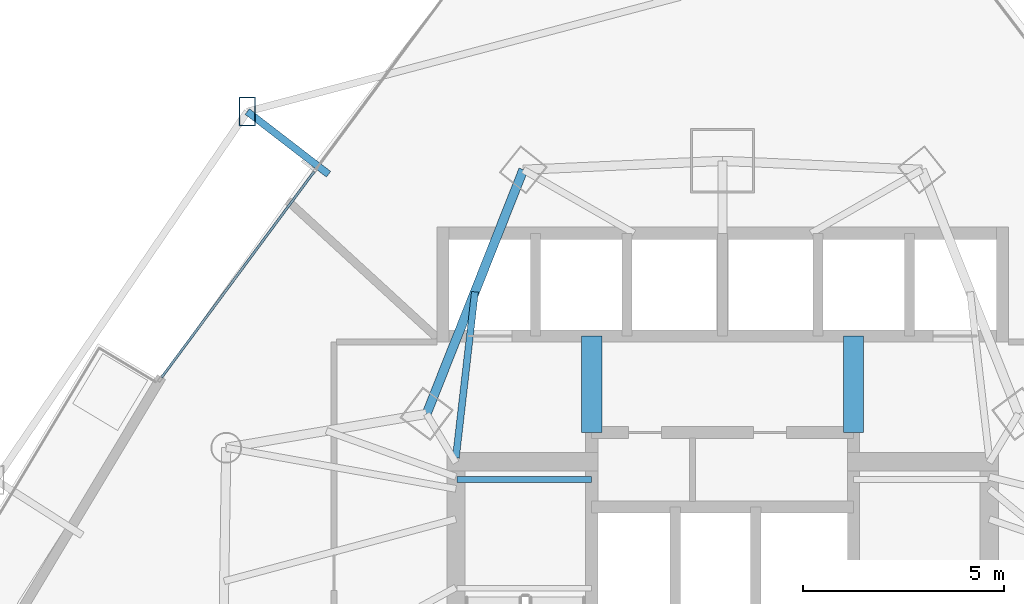
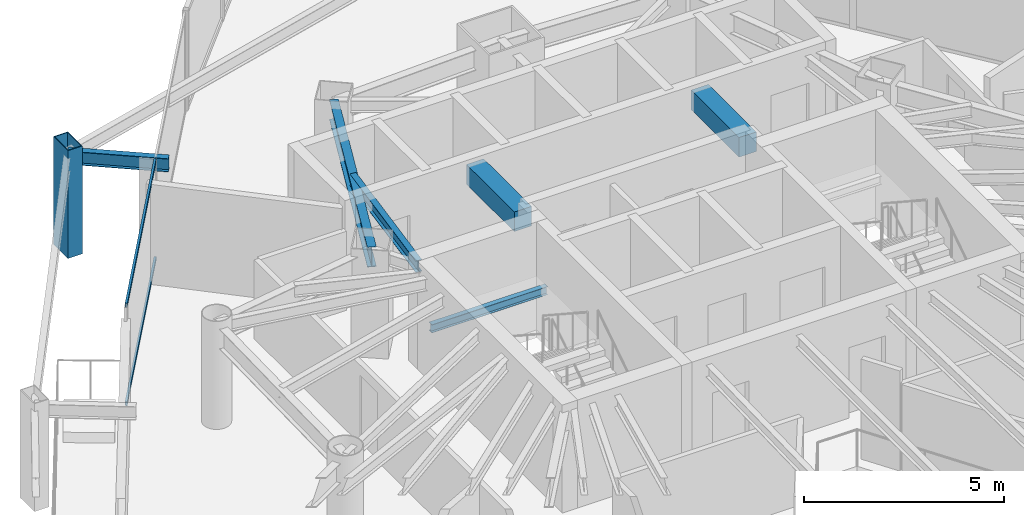
# One storey, part 22 of 35: 6 beams, 3 members, 1 element without a shape of its own.
"""IFC4 building model written with IfcOpenShell, lengths in metres."""

from ifc_helpers import new_model, si_unit, direction, frame, origin, origin_2d, place, context, subcontext, project, spatial, rectangle, hollow_rectangle, i_section, extrude, material, layer, layer_set, material_profile, profile_set, type_object, element, aggregate, save


model = new_model("IFC4")

# Units and contexts
model_context = context("Model", 3, precision=1e-05, world=origin(), true_north=direction((0.0, 1.0)))
body_context = subcontext(model_context, "Body", "Model", "MODEL_VIEW")
ifc_project = project(units=[si_unit("LENGTHUNIT", "METRE"), si_unit("AREAUNIT", "SQUARE_METRE"), si_unit("VOLUMEUNIT", "CUBIC_METRE"), si_unit("PLANEANGLEUNIT", "RADIAN"), si_unit("MASSUNIT", "GRAM", prefix="KILO")], contexts=[model_context])

# Site, building, storey
site_placement = place(None, origin())
site = spatial("IfcSite", under=ifc_project, at=site_placement, CompositionType="ELEMENT")
building_placement = place(site_placement, origin())
building = spatial("IfcBuilding", under=site, at=building_placement, Name="Orvanel Arch Residences", CompositionType="ELEMENT")
storey_placement = place(building_placement, frame((0.0, 0.0, 33.5)))
storey = spatial("IfcBuildingStorey", under=building, at=storey_placement, Name="L08", CompositionType="ELEMENT", Elevation=33.5)

# Beams
ifc_material_1 = material(Name="Structural steel AS/NZS 3679.1 Grade 300 (300 MPa)", Category="steel")
ifc_material_profile_1 = material_profile(ifc_material_1, i_section(OverallWidth=0.14599609375, OverallDepth=0.251953125, WebThickness=0.006103515625, FlangeThickness=0.008544921875, at=origin_2d()), Name="250UB31.4")
ifc_profile_set_1 = profile_set([ifc_material_profile_1], Name="Structural steel AS/NZS 3679.1 Grade 300 (300 MPa)")
beam_type_1 = type_object("IfcBeamType", Name="BJ-250UB", PredefinedType="JOIST", material=ifc_profile_set_1)
beam_1_placement = place(storey_placement, frame((26.39990234375, 33.47998046875, 1.323974609375), z_axis=(1.0, 0.0, 0.0), x_axis=(0.0, 1.0, 0.0)))
element("IfcBeam", 1, at=beam_1_placement, inside=storey, type_object=beam_type_1, Name="L08 ST-1 Half-Landing Support Beam 1.2", PredefinedType="JOIST", context=body_context, shape_type="SweptSolid", body=[
    extrude(i_section(OverallWidth=0.14599609375, OverallDepth=0.251953125, WebThickness=0.006103515625, FlangeThickness=0.008544921875, at=origin_2d()), origin(), (0.0, 0.0, 1.0), 3.35009765625),
])
ifc_material_profile_2 = material_profile(ifc_material_1, i_section(OverallWidth=0.1708984375, OverallDepth=0.35595703125, WebThickness=0.00732421875, FlangeThickness=0.011474609375, at=origin_2d()), Name="360UB50.7")
ifc_profile_set_2 = profile_set([ifc_material_profile_2], Name="Structural steel AS/NZS 3679.1 Grade 300 (300 MPa)")
beam_type_2 = type_object("IfcBeamType", Name="BJ-360UB", PredefinedType="JOIST", material=ifc_profile_set_2)
beam_2_placement = place(storey_placement, frame((26.375, 34.02001953125, 2.882080078125), z_axis=(0.114186670431, 0.993459311847, 0.0), x_axis=(-0.993459311847, 0.114186670431, 0.0)))
element("IfcBeam", 2, at=beam_2_placement, inside=storey, type_object=beam_type_2, Name="L08 NNW2 Wing Floor Joist", PredefinedType="JOIST", context=body_context, shape_type="SweptSolid", body=[
    extrude(i_section(OverallWidth=0.1708984375, OverallDepth=0.35595703125, WebThickness=0.00732421875, FlangeThickness=0.011474609375, at=origin_2d()), origin(), (0.0, 0.0, 1.0), 4.152099609375),
])
ifc_material_2 = material(Name="Concrete S65 (65 MPa)", Category="concrete")
ifc_material_profile_3 = material_profile(ifc_material_2, rectangle(XDim=0.5, YDim=0.60009765625, at=origin_2d()), Name="RC500x600")
ifc_profile_set_3 = profile_set([ifc_material_profile_3], Name="Concrete S65 (65 MPa)")
beam_type_3 = type_object("IfcBeamType", Name="CB-500x600", PredefinedType="LINTEL", material=ifc_profile_set_3)
for number, where, z_axis, x_axis, name in (
    (3, (29.75, 34.64990234375, 2.760009765625), (0.0, 1.0, 0.0), (-1.0, 0.0, 0.0), "L08 West Core Lobby Coupling Lintel Beam"),
    (4, (36.25, 34.64990234375, 2.760009765625), (0.0, 1.0, 0.0), (-1.0, 0.0, 0.0), "L08 East Core Lobby Coupling Lintel Beam"),
):
    element("IfcBeam", number, at=place(storey_placement, frame(where, z_axis=z_axis, x_axis=x_axis)), inside=storey, type_object=beam_type_3, Name=name, PredefinedType="LINTEL", context=body_context, shape_type="SweptSolid", body=[
        extrude(rectangle(XDim=0.5, YDim=0.60009765625, at=origin_2d()), origin(), (0.0, 0.0, 1.0), 2.400146484375),
    ])

# Member
ifc_material_3 = material(Name="Structural steel AS/NZS 3678 Grade 350", Category="steel")
ifc_material_profile_4 = material_profile(ifc_material_3, hollow_rectangle(XDim=0.419921875, YDim=0.719970703125, WallThickness=0.02490234375, at=origin_2d()), Name="RHS720x420x25")
ifc_profile_set_4 = profile_set([ifc_material_profile_4], Name="Structural steel AS/NZS 3678 Grade 350")
member_type_1 = type_object("IfcMemberType", Name="CH-720RHS-EXT", PredefinedType="CHORD", material=ifc_profile_set_4)
member_1_placement = place(storey_placement, frame((21.193115234375, 42.623046875, 0.0), z_axis=(0.0, 0.0, 1.0), x_axis=(1.0, 0.0, 0.0)))
element("IfcMember", 5, at=member_1_placement, inside=storey, type_object=member_type_1, Name="L08 Outer Perimeter Frame Post 01", PredefinedType="CHORD", context=body_context, shape_type="SweptSolid", body=[
    extrude(hollow_rectangle(XDim=0.419921875, YDim=0.719970703125, WallThickness=0.02490234375, at=origin_2d()), origin(), (0.0, 0.0, 1.0), 3.300048828125),
])

# Beams
ifc_material_profile_5 = material_profile(ifc_material_1, i_section(OverallWidth=0.177978515625, OverallDepth=0.406005859375, WebThickness=0.0078125, FlangeThickness=0.0126953125, at=origin_2d()), Name="410UB59.7")
ifc_profile_set_5 = profile_set([ifc_material_profile_5], Name="Structural steel AS/NZS 3679.1 Grade 300 (300 MPa)")
beam_type_4 = type_object("IfcBeamType", Name="OB-410UB-EXT", PredefinedType="SPANDREL", material=ifc_profile_set_5)
beam_3_placement = place(storey_placement, frame((23.2119140625, 41.06591796875, 2.85693359375), z_axis=(-0.791825918178, 0.610746850422, 0.0), x_axis=(-0.610746850422, -0.791825918178, 0.0)))
element("IfcBeam", 6, at=beam_3_placement, inside=storey, type_object=beam_type_4, Name="L08 Outer Frame Radial Tie Beam 01", PredefinedType="SPANDREL", context=body_context, shape_type="SweptSolid", body=[
    extrude(i_section(OverallWidth=0.177978515625, OverallDepth=0.406005859375, WebThickness=0.0078125, FlangeThickness=0.0126953125, at=origin_2d()), origin(), (0.0, 0.0, 1.0), 2.549560546875),
])
ifc_material_profile_6 = material_profile(ifc_material_1, i_section(OverallWidth=0.22900390625, OverallDepth=0.612060546875, WebThickness=0.011962890625, FlangeThickness=0.01953125, at=origin_2d()), Name="610UB125")
ifc_profile_set_6 = profile_set([ifc_material_profile_6], Name="Structural steel AS/NZS 3679.1 Grade 300 (300 MPa)")
beam_type_5 = type_object("IfcBeamType", Name="SP-610UB", PredefinedType="SPANDREL", material=ifc_profile_set_6)
beam_4_placement = place(storey_placement, frame((28.050048828125, 41.177978515625, 2.75390625), z_axis=(-0.368233143579, -0.929733484376, 0.0), x_axis=(0.929733484376, -0.368233143579, 0.0)))
element("IfcBeam", 7, at=beam_4_placement, inside=storey, type_object=beam_type_5, Name="L08 Perimeter Spandrel Beam 18", PredefinedType="SPANDREL", context=body_context, shape_type="SweptSolid", body=[
    extrude(i_section(OverallWidth=0.22900390625, OverallDepth=0.612060546875, WebThickness=0.011962890625, FlangeThickness=0.01953125, at=origin_2d()), origin(), (0.0, 0.0, 1.0), 6.523193359375),
])

# Curtain wall, members
ifc_material_4 = material(Name="Bronze-anodised aluminium AA6063-T6", Category="aluminium")
ifc_layer = layer(ifc_material_4, 0.179931640625)
ifc_layer_set = layer_set([ifc_layer], Name="Bronze-anodised aluminium AA6063-T6")
curtain_wall_type = type_object("IfcCurtainWallType", Name="CW2-LOW-SYS", PredefinedType="NOTDEFINED", material=ifc_layer_set)
curtain_wall_placement = place(storey_placement, origin())
curtain_wall = element("IfcCurtainWall", 8, at=curtain_wall_placement, inside=storey, type_object=curtain_wall_type, Name="L08 CW2-LOW-SYS Unitised Curtain Wall", PredefinedType="NOTDEFINED")
ifc_material_profile_7 = material_profile(ifc_material_4, hollow_rectangle(XDim=0.06005859375, YDim=0.135009765625, WallThickness=0.00390625, at=origin_2d()), Name="ALU135x60x4")
ifc_profile_set_7 = profile_set([ifc_material_profile_7], Name="Bronze-anodised aluminium AA6063-T6")
member_type_2 = type_object("IfcMemberType", Name="TRN-135x60", PredefinedType="USERDEFINED", material=ifc_profile_set_7)
member_2_placement = place(storey_placement, frame((22.853271484375, 41.1318359375, 0.030029296875), z_axis=(-0.595357762484, -0.803460723775, 0.0), x_axis=(0.803460723775, -0.595357762484, 0.0)))
member_2 = element("IfcMember", 9, at=member_2_placement, type_object=member_type_2, Name="CW-S2 transom 2.1", ObjectType="TRANSOM", PredefinedType="USERDEFINED", context=body_context, shape_type="SweptSolid", body=[
    extrude(hollow_rectangle(XDim=0.06005859375, YDim=0.135009765625, WallThickness=0.00390625, at=origin_2d()), origin(), (0.0, 0.0, 1.0), 6.36669921875),
])
member_3_placement = place(storey_placement, frame((22.853271484375, 41.1318359375, 3.030029296875), z_axis=(-0.595357762484, -0.803460723775, 0.0), x_axis=(0.803460723775, -0.595357762484, 0.0)))
member_3 = element("IfcMember", 10, at=member_3_placement, type_object=member_type_2, Name="CW-S2 transom 2.2", ObjectType="TRANSOM", PredefinedType="USERDEFINED", context=body_context, shape_type="SweptSolid", body=[
    extrude(hollow_rectangle(XDim=0.06005859375, YDim=0.135009765625, WallThickness=0.00390625, at=origin_2d()), origin(), (0.0, 0.0, 1.0), 6.36669921875),
])
aggregate(curtain_wall, [member_2, member_3])

save(model, "model.ifc")
